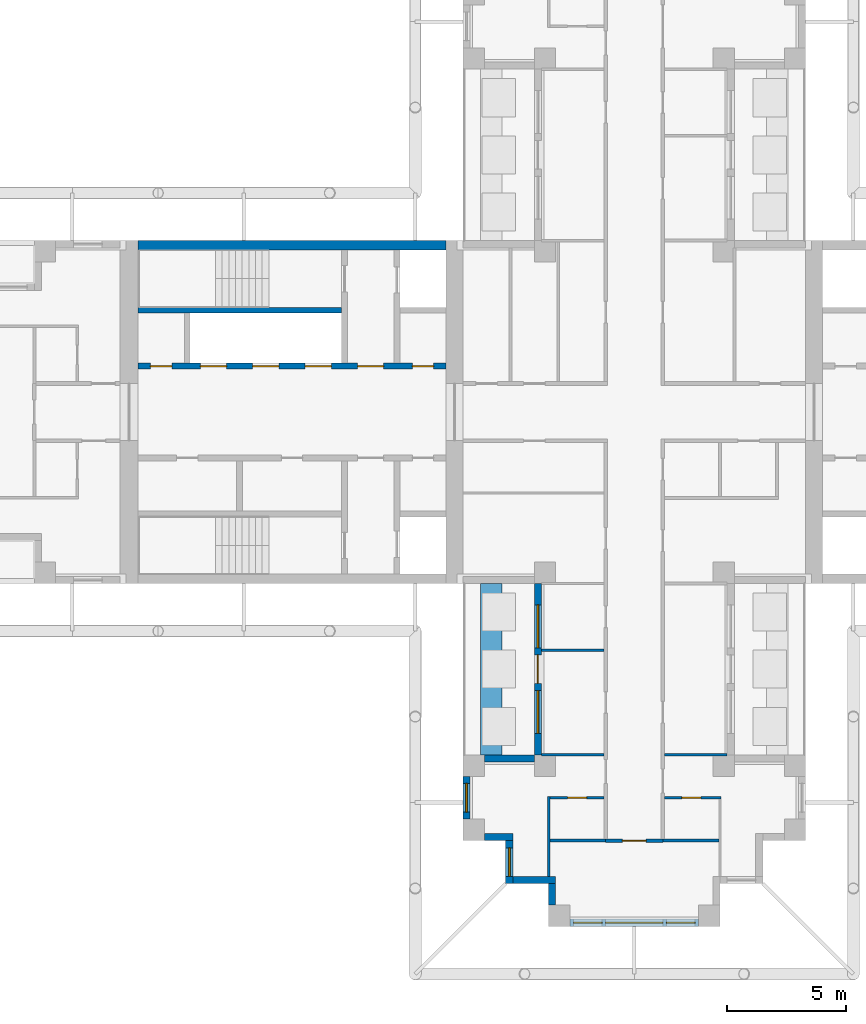
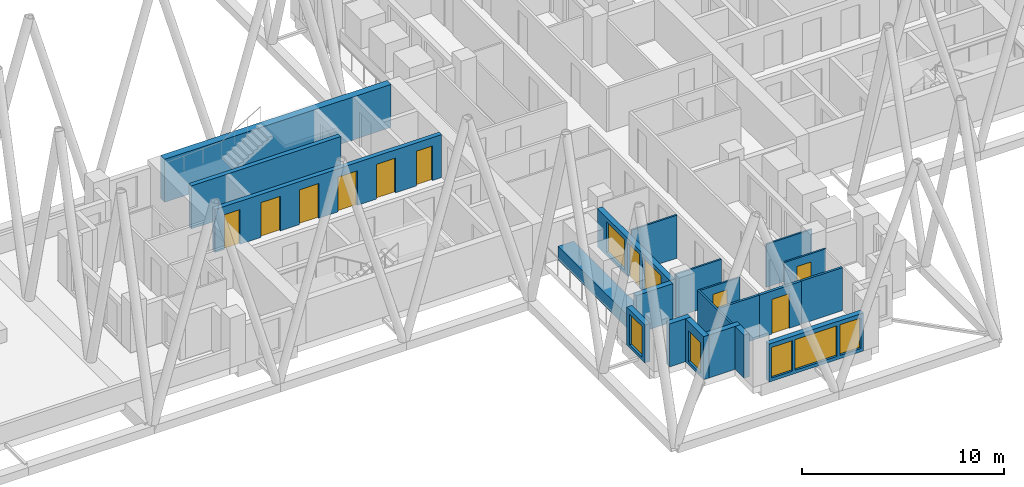
# One storey, part 4 of 11: 21 walls, 10 doors, 7 windows, 17 openings.
"""IFC4 building model written with IfcOpenShell, lengths in metres."""

import ifcopenshell
import ifcopenshell.guid

model = None  # the IFC model being written
_history = None  # IfcOwnerHistory: only IFC2X3 demands one
_inside = {}  # id of a spatial element -> (the spatial element, [elements in it])
_under = {}  # id of a project, library or spatial element -> (it, [spatial elements below it])
_declared = {}  # id of a project -> (the project, [libraries it declares])
_typed = {}  # id of a type object -> (the type object, [elements of that type])
_made_of = {}  # id of a material, layer set ... -> (it, [elements and type objects made of it])


def new_model(schema):
    """Start an empty IFC model of exactly this schema.

    Asked for "IFC4X3", IfcOpenShell would pick the latest addendum, in which some entities
    have other attributes; the version numbers below select the first issue.
    IFC2X3 requires an IfcOwnerHistory on every rooted entity: one is made here for all.
    """
    global model, _history
    if schema == "IFC4X3":
        model = ifcopenshell.file(schema_version=(4, 3, 0, 0))
    else:
        model = ifcopenshell.file(schema=schema)
    _inside.clear()
    _under.clear()
    _declared.clear()
    _typed.clear()
    _made_of.clear()
    _history = None
    if model.schema == "IFC2X3":
        org = make("IfcOrganization", Name="unknown")
        user = make(
            "IfcPersonAndOrganization",
            ThePerson=make("IfcPerson", FamilyName="unknown"),
            TheOrganization=org,
        )
        app = make(
            "IfcApplication",
            ApplicationDeveloper=org,
            Version="unknown",
            ApplicationFullName="unknown",
            ApplicationIdentifier="unknown",
        )
        _history = make(
            "IfcOwnerHistory",
            OwningUser=user,
            OwningApplication=app,
            ChangeAction="ADDED",
            CreationDate=0,
        )
    return model


def make(cls, **values):
    """One entity of the class cls with the attributes given. An attribute that is None is left unset."""
    return model.create_entity(
        cls, **{name: value for name, value in values.items() if value is not None}
    )


def rooted(cls, **values):
    """An entity with a GlobalId (a new one), such as an element, a storey or a relation."""
    return make(cls, GlobalId=ifcopenshell.guid.new(), OwnerHistory=_history, **values)


def si_unit(unit_type, name, prefix=None):
    """IfcSIUnit, for example si_unit("LENGTHUNIT", "METRE", prefix="MILLI")."""
    return make("IfcSIUnit", UnitType=unit_type, Prefix=prefix, Name=name)


def assignment(units):
    """IfcUnitAssignment: the units of a project."""
    return None if units is None else make("IfcUnitAssignment", Units=units)


def point(xyz):
    """IfcCartesianPoint."""
    return None if xyz is None else make("IfcCartesianPoint", Coordinates=xyz)


def direction(xyz):
    """IfcDirection."""
    return None if xyz is None else make("IfcDirection", DirectionRatios=xyz)


def frame(location, z_axis=None, x_axis=None):
    """IfcAxis2Placement3D, a coordinate frame: its origin and axes. An axis left out is left unset."""
    return make(
        "IfcAxis2Placement3D",
        Location=point(location),
        Axis=direction(z_axis),
        RefDirection=direction(x_axis),
    )


def frame_2d(location, x_axis=None):
    """IfcAxis2Placement2D, a coordinate frame in the plane: its origin and x axis."""
    return make(
        "IfcAxis2Placement2D", Location=point(location), RefDirection=direction(x_axis)
    )


def origin():
    """The frame at (0, 0, 0) with its axes left unset."""
    return frame((0.0, 0.0, 0.0))


def place(relative_to, where):
    """IfcLocalPlacement: puts the frame where relative to a parent placement (None: the world)."""
    return make(
        "IfcLocalPlacement", PlacementRelTo=relative_to, RelativePlacement=where
    )


def context(
    kind, dimensions, precision=None, world=None, true_north=None, identifier=None
):
    """IfcGeometricRepresentationContext, for example the 3D "Model" context."""
    return make(
        "IfcGeometricRepresentationContext",
        ContextIdentifier=identifier,
        ContextType=kind,
        CoordinateSpaceDimension=dimensions,
        Precision=precision,
        WorldCoordinateSystem=world,
        TrueNorth=true_north,
    )


def subcontext(parent, identifier, kind, view, scale=None):
    """IfcGeometricRepresentationSubContext, for example "Body" below "Model"."""
    return make(
        "IfcGeometricRepresentationSubContext",
        ContextIdentifier=identifier,
        ContextType=kind,
        ParentContext=parent,
        TargetScale=scale,
        TargetView=view,
    )


def project(units=None, contexts=None):
    """IfcProject with its units and contexts."""
    return rooted(
        "IfcProject",
        Name="project",
        RepresentationContexts=contexts,
        UnitsInContext=assignment(units),
    )


def spatial(cls, under=None, at=None, **own):
    """A site, building, storey or space (cls), placed at a placement, below another one or the project."""
    s = rooted(cls, ObjectPlacement=at, **own)
    if under is not None:
        _under.setdefault(under.id(), (under, []))[1].append(s)
    return s


def profile(cls, at=None, kind="AREA", **sizes):
    """A parametric profile (cls). Its sizes go by their IFC names, for example OverallWidth=200.0."""
    return make(cls, ProfileType=kind, Position=at, **sizes)


def rectangle(**sizes):
    """IfcRectangleProfileDef."""
    return profile("IfcRectangleProfileDef", **sizes)


def extrude(swept, where, along, depth):
    """IfcExtrudedAreaSolid: the profile swept, set in the frame where, extruded along a direction by depth."""
    return make(
        "IfcExtrudedAreaSolid",
        SweptArea=swept,
        Position=where,
        ExtrudedDirection=direction(along),
        Depth=depth,
    )


def shape(context_of_items, identifier, shape_type, items):
    """IfcShapeRepresentation: the items that make up one representation, for example the "Body"."""
    return make(
        "IfcShapeRepresentation",
        ContextOfItems=context_of_items,
        RepresentationIdentifier=identifier,
        RepresentationType=shape_type,
        Items=items,
    )


def material(Name=None, Category=None):
    """IfcMaterial."""
    return make("IfcMaterial", Name=Name, Category=Category)


def layer(
    of_material, thickness, ventilated=None, Name=None, Category=None, Priority=None
):
    """IfcMaterialLayer: one layer of a wall or slab, of a material (None: an air gap)."""
    return make(
        "IfcMaterialLayer",
        Material=of_material,
        LayerThickness=thickness,
        IsVentilated=ventilated,
        Name=Name,
        Category=Category,
        Priority=Priority,
    )


def layer_set(layers, Name=None):
    """IfcMaterialLayerSet."""
    return make("IfcMaterialLayerSet", MaterialLayers=layers, LayerSetName=Name)


def made_of(thing, what):
    """Note that an element or type object is made of a material, layer set ...; save() writes the relation."""
    if what is not None:
        _made_of.setdefault(what.id(), (what, []))[1].append(thing)
    return thing


def type_object(cls, material=None, **own):
    """A type object (cls), such as IfcWallType, which elements share."""
    return made_of(rooted(cls, **own), material)


def element(
    cls,
    number,
    at=None,
    inside=None,
    cuts=None,
    type_object=None,
    material=None,
    context=None,
    identifier="Body",
    shape_type=None,
    held_by="IfcProductDefinitionShape",
    body=None,
    shapes=None,
    **own,
):
    """One element of the class cls, such as IfcWall. Its Tag is "e" and its number.

    at: its placement. inside: the storey or other place that contains it. cuts: it is an
    opening in that element (IfcRelVoidsElement). A single representation is given by context,
    identifier, shape_type and body (its items); several are given by shapes. held_by: the class
    of the entity that holds the representations. save() writes the other relations.
    """
    e = rooted(cls, Tag="e%d" % number, ObjectPlacement=at, **own)
    if body is not None:
        shapes = [shape(context, identifier, shape_type, body)]
    if shapes is not None:
        e.Representation = make(held_by, Representations=shapes)
    if inside is not None:
        _inside.setdefault(inside.id(), (inside, []))[1].append(e)
    if cuts is not None:
        rooted(
            "IfcRelVoidsElement", RelatingBuildingElement=cuts, RelatedOpeningElement=e
        )
    if type_object is not None:
        _typed.setdefault(type_object.id(), (type_object, []))[1].append(e)
    return made_of(e, material)


def fill(opening, filler):
    """IfcRelFillsElement: the door or window that sits in an opening."""
    return rooted(
        "IfcRelFillsElement",
        RelatingOpeningElement=opening,
        RelatedBuildingElement=filler,
    )


def aggregate(whole, parts):
    """IfcRelAggregates: a whole, such as a stair, and the parts it consists of."""
    return rooted("IfcRelAggregates", RelatingObject=whole, RelatedObjects=parts)


def save(model, path):
    """Write the relations noted so far, then the file.

    IfcRelAggregates (storeys below a building ...), IfcRelContainedInSpatialStructure (elements
    in a storey), IfcRelDefinesByType, IfcRelAssociatesMaterial and IfcRelDeclares: one each for
    every whole, place, type object, material and project.
    """
    for whole, parts in _under.values():
        aggregate(whole, parts)
    for where, things in _inside.values():
        rooted(
            "IfcRelContainedInSpatialStructure",
            RelatedElements=things,
            RelatingStructure=where,
        )
    for kind, things in _typed.values():
        rooted("IfcRelDefinesByType", RelatedObjects=things, RelatingType=kind)
    for what, things in _made_of.values():
        rooted("IfcRelAssociatesMaterial", RelatedObjects=things, RelatingMaterial=what)
    for by, libraries in _declared.values():
        rooted("IfcRelDeclares", RelatingContext=by, RelatedDefinitions=libraries)
    model.write(path)


model = new_model("IFC4")

# Units and contexts
model_context = context("Model", 3, precision=1e-05, world=origin(), true_north=direction((0.0, 1.0)))
body_context = subcontext(model_context, "Body", "Model", "MODEL_VIEW")
ifc_project = project(units=[si_unit("LENGTHUNIT", "METRE"), si_unit("AREAUNIT", "SQUARE_METRE"), si_unit("VOLUMEUNIT", "CUBIC_METRE"), si_unit("PLANEANGLEUNIT", "RADIAN"), si_unit("MASSUNIT", "GRAM", prefix="KILO")], contexts=[model_context])

# Site, building, storey
site_placement = place(None, origin())
site = spatial("IfcSite", under=ifc_project, at=site_placement, CompositionType="ELEMENT")
building_placement = place(site_placement, origin())
building = spatial("IfcBuilding", under=site, at=building_placement, Name="Fustian Cross Tower", CompositionType="ELEMENT")
storey_placement = place(building_placement, frame((0.0, 0.0, 198.89990234375)))
storey = spatial("IfcBuildingStorey", under=building, at=storey_placement, Name="L62", CompositionType="ELEMENT", Elevation=198.89990234375)

# Wall, opening, door
ifc_material_1 = material(Name="Plasterboard on steel stud", Category="steel")
ifc_layer_1 = layer(ifc_material_1, 0.14990234375)
ifc_layer_set_1 = layer_set([ifc_layer_1], Name="Plasterboard on steel stud")
wall_type_1 = type_object("IfcWallType", Name="COMPARTMENT WALL 150 EI 60", PredefinedType="PARTITIONING", material=ifc_layer_set_1)
wall_1_placement = place(storey_placement, frame((-1.199951171875, -18.0, 0.0), z_axis=(0.0, 0.0, 1.0), x_axis=(1.0, 0.0, 0.0)))
wall_1 = element("IfcWall", 1, at=wall_1_placement, inside=storey, type_object=wall_type_1, Name="Partition 27", PredefinedType="PARTITIONING", context=body_context, shape_type="SweptSolid", body=[
    extrude(rectangle(XDim=2.39990234375, YDim=0.14990234375, at=frame_2d((1.199951171875, 0.0))), origin(), (0.0, 0.0, 1.0), 2.60009765625),
])
opening_1_placement = place(wall_1_placement, frame((0.699951171875, 0.0, 0.0)))
opening_1 = element("IfcOpeningElement", 2, at=opening_1_placement, cuts=wall_1, Name="Opening D29026", PredefinedType="OPENING", context=body_context, shape_type="SweptSolid", body=[
    extrude(rectangle(XDim=1.0, YDim=2.10009765625, at=frame_2d((0.5, 1.050048828125))), frame((0.0, 0.0849609375, 0.0), z_axis=(0.0, -1.0, 0.0), x_axis=(1.0, 0.0, 0.0)), (0.0, 0.0, 1.0), 0.169921875),
])
ifc_material_2 = material(Name="Timber fire door set", Category="wood")
door_type_1 = type_object("IfcDoorType", Name="FIRE SWING DOOR 1000 FD30S", OperationType="SINGLE_SWING_LEFT", PredefinedType="DOOR", material=ifc_material_2)
door_1_placement = place(opening_1_placement, frame((1.0, 0.0, 0.0), z_axis=(0.0, 0.0, 1.0), x_axis=(-1.0, 0.0, 0.0)))
door_1 = element("IfcDoor", 3, at=door_1_placement, inside=storey, type_object=door_type_1, Name="Door D29026", OperationType="SINGLE_SWING_RIGHT", OverallHeight=2.10009765625, OverallWidth=1.0, PredefinedType="DOOR", context=body_context, shape_type="SweptSolid", body=[
    extrude(rectangle(XDim=1.0, YDim=2.10009765625, at=frame_2d((0.5, 1.050048828125))), frame((0.0, 0.02490234375, 0.0), z_axis=(0.0, -1.0, 0.0), x_axis=(1.0, 0.0, 0.0)), (0.0, 0.0, 1.0), 0.050048828125),
])
fill(opening_1, door_1)

# Wall
ifc_material_3 = material(Name="Concrete C50/60", Category="concrete")
ifc_layer_2 = layer(ifc_material_3, 0.39990234375)
ifc_layer_set_2 = layer_set([ifc_layer_2], Name="Concrete C50/60")
wall_type_2 = type_object("IfcWallType", Name="CORE FACADE WALL 400 C50/60", PredefinedType="SHEAR", material=ifc_layer_set_2)
wall_2_placement = place(storey_placement, frame((-7.89990234375, 7.0, 0.0), z_axis=(0.0, 0.0, 1.0), x_axis=(-1.0, 0.0, 0.0)))
element("IfcWall", 4, at=wall_2_placement, inside=storey, type_object=wall_type_2, Name="Core facade wall", PredefinedType="SHEAR", context=body_context, shape_type="SweptSolid", body=[
    extrude(rectangle(XDim=12.9501953125, YDim=0.39990234375, at=frame_2d((6.47509765625, 0.0))), origin(), (0.0, 0.0, 1.0), 2.60009765625),
])

# Wall, openings, doors
ifc_material_4 = material(Name="Concrete C50/60", Category="concrete")
ifc_layer_3 = layer(ifc_material_4, 0.25)
ifc_layer_set_3 = layer_set([ifc_layer_3], Name="Concrete C50/60")
wall_type_3 = type_object("IfcWallType", Name="CORE LOBBY WALL 250 C50/60", PredefinedType="SHEAR", material=ifc_layer_set_3)
wall_3_placement = place(storey_placement, frame((-7.89990234375, 1.925048828125, 0.0), z_axis=(0.0, 0.0, 1.0), x_axis=(-1.0, 0.0, 0.0)))
wall_3 = element("IfcWall", 5, at=wall_3_placement, inside=storey, type_object=wall_type_3, Name="Core lobby wall", PredefinedType="SHEAR", context=body_context, shape_type="SweptSolid", body=[
    extrude(rectangle(XDim=12.9501953125, YDim=0.25, at=frame_2d((6.47509765625, 0.0))), origin(), (0.0, 0.0, 1.0), 2.60009765625),
])
opening_2_placement = place(wall_3_placement, frame((4.824951171875, 0.0, 0.0)))
opening_2 = element("IfcOpeningElement", 6, at=opening_2_placement, cuts=wall_3, Name="Opening LD", PredefinedType="OPENING", context=body_context, shape_type="SweptSolid", body=[
    extrude(rectangle(XDim=1.10009765625, YDim=2.10009765625, at=frame_2d((0.550048828125, 1.050048828125))), frame((0.0, 0.135009765625, 0.0), z_axis=(0.0, -1.0, 0.0), x_axis=(1.0, 0.0, 0.0)), (0.0, 0.0, 1.0), 0.27001953125),
])
opening_3_placement = place(wall_3_placement, frame((7.02490234375, 0.0, 0.0)))
opening_3 = element("IfcOpeningElement", 7, at=opening_3_placement, cuts=wall_3, Name="Opening LD", PredefinedType="OPENING", context=body_context, shape_type="SweptSolid", body=[
    extrude(rectangle(XDim=1.10009765625, YDim=2.10009765625, at=frame_2d((0.550048828125, 1.050048828125))), frame((0.0, 0.135009765625, 0.0), z_axis=(0.0, -1.0, 0.0), x_axis=(1.0, 0.0, 0.0)), (0.0, 0.0, 1.0), 0.27001953125),
])
opening_4_placement = place(wall_3_placement, frame((9.22509765625, 0.0, 0.0)))
opening_4 = element("IfcOpeningElement", 8, at=opening_4_placement, cuts=wall_3, Name="Opening LD", PredefinedType="OPENING", context=body_context, shape_type="SweptSolid", body=[
    extrude(rectangle(XDim=1.10009765625, YDim=2.10009765625, at=frame_2d((0.550048828125, 1.050048828125))), frame((0.0, 0.135009765625, 0.0), z_axis=(0.0, -1.0, 0.0), x_axis=(1.0, 0.0, 0.0)), (0.0, 0.0, 1.0), 0.27001953125),
])
opening_5_placement = place(wall_3_placement, frame((0.52490234375, 0.0, 0.0)))
opening_5 = element("IfcOpeningElement", 9, at=opening_5_placement, cuts=wall_3, Name="Opening CD-27-24", PredefinedType="OPENING", context=body_context, shape_type="SweptSolid", body=[
    extrude(rectangle(XDim=0.89990234375, YDim=2.10009765625, at=frame_2d((0.449951171875, 1.050048828125))), frame((0.0, 0.135009765625, 0.0), z_axis=(0.0, -1.0, 0.0), x_axis=(1.0, 0.0, 0.0)), (0.0, 0.0, 1.0), 0.27001953125),
])
opening_6_placement = place(wall_3_placement, frame((2.625, 0.0, 0.0)))
opening_6 = element("IfcOpeningElement", 10, at=opening_6_placement, cuts=wall_3, Name="Opening CD-27-26", PredefinedType="OPENING", context=body_context, shape_type="SweptSolid", body=[
    extrude(rectangle(XDim=1.10009765625, YDim=2.10009765625, at=frame_2d((0.550048828125, 1.050048828125))), frame((0.0, 0.135009765625, 0.0), z_axis=(0.0, -1.0, 0.0), x_axis=(1.0, 0.0, 0.0)), (0.0, 0.0, 1.0), 0.27001953125),
])
opening_7_placement = place(wall_3_placement, frame((11.52490234375, 0.0, 0.0)))
opening_7 = element("IfcOpeningElement", 11, at=opening_7_placement, cuts=wall_3, Name="Opening CD-27-30", PredefinedType="OPENING", context=body_context, shape_type="SweptSolid", body=[
    extrude(rectangle(XDim=0.89990234375, YDim=2.10009765625, at=frame_2d((0.449951171875, 1.050048828125))), frame((0.0, 0.135009765625, 0.0), z_axis=(0.0, -1.0, 0.0), x_axis=(1.0, 0.0, 0.0)), (0.0, 0.0, 1.0), 0.27001953125),
])
ifc_material_5 = material(Name="Steel", Category="steel")
door_type_2 = type_object("IfcDoorType", Name="FIRE DOOR FD30S 900X2100", OperationType="SINGLE_SWING_LEFT", PredefinedType="DOOR", material=ifc_material_5)
door_2_placement = place(opening_7_placement, frame((0.89990234375, 0.0, 0.0), z_axis=(0.0, 0.0, 1.0), x_axis=(-1.0, 0.0, 0.0)))
door_2 = element("IfcDoor", 12, at=door_2_placement, inside=storey, type_object=door_type_2, Name="Core door CD-27-30", OperationType="SINGLE_SWING_RIGHT", OverallHeight=2.10009765625, OverallWidth=0.89990234375, PredefinedType="DOOR", context=body_context, shape_type="SweptSolid", body=[
    extrude(rectangle(XDim=0.89990234375, YDim=2.10009765625, at=frame_2d((0.449951171875, 1.050048828125))), frame((0.0, 0.02490234375, 0.0), z_axis=(0.0, -1.0, 0.0), x_axis=(1.0, 0.0, 0.0)), (0.0, 0.0, 1.0), 0.050048828125),
])
fill(opening_7, door_2)
ifc_material_6 = material(Name="Steel", Category="steel")
door_type_3 = type_object("IfcDoorType", Name="FIRE DOOR FD60S 1100X2100", OperationType="SINGLE_SWING_LEFT", PredefinedType="DOOR", material=ifc_material_6)
door_3_placement = place(opening_6_placement, frame((1.10009765625, 0.0, 0.0), z_axis=(0.0, 0.0, 1.0), x_axis=(-1.0, 0.0, 0.0)))
door_3 = element("IfcDoor", 13, at=door_3_placement, inside=storey, type_object=door_type_3, Name="Core door CD-27-26", OperationType="SINGLE_SWING_RIGHT", OverallHeight=2.10009765625, OverallWidth=1.10009765625, PredefinedType="DOOR", context=body_context, shape_type="SweptSolid", body=[
    extrude(rectangle(XDim=1.10009765625, YDim=2.10009765625, at=frame_2d((0.550048828125, 1.050048828125))), frame((0.0, 0.02490234375, 0.0), z_axis=(0.0, -1.0, 0.0), x_axis=(1.0, 0.0, 0.0)), (0.0, 0.0, 1.0), 0.050048828125),
])
fill(opening_6, door_3)
ifc_material_7 = material(Name="Steel", Category="steel")
door_type_4 = type_object("IfcDoorType", Name="FIRE DOOR FD60S 900X2100", OperationType="SINGLE_SWING_LEFT", PredefinedType="DOOR", material=ifc_material_7)
door_4_placement = place(opening_5_placement, frame((0.89990234375, 0.0, 0.0), z_axis=(0.0, 0.0, 1.0), x_axis=(-1.0, 0.0, 0.0)))
door_4 = element("IfcDoor", 14, at=door_4_placement, inside=storey, type_object=door_type_4, Name="Core door CD-27-24", OperationType="SINGLE_SWING_RIGHT", OverallHeight=2.10009765625, OverallWidth=0.89990234375, PredefinedType="DOOR", context=body_context, shape_type="SweptSolid", body=[
    extrude(rectangle(XDim=0.89990234375, YDim=2.10009765625, at=frame_2d((0.449951171875, 1.050048828125))), frame((0.0, 0.02490234375, 0.0), z_axis=(0.0, -1.0, 0.0), x_axis=(1.0, 0.0, 0.0)), (0.0, 0.0, 1.0), 0.050048828125),
])
fill(opening_5, door_4)
ifc_material_8 = material(Name="Stainless steel", Category="steel")
door_type_5 = type_object("IfcDoorType", Name="LIFT LANDING DOOR 1100X2100", OperationType="SLIDING_TO_LEFT", PredefinedType="DOOR", material=ifc_material_8)
door_5_placement = place(opening_2_placement, origin())
door_5 = element("IfcDoor", 15, at=door_5_placement, inside=storey, type_object=door_type_5, Name="Landing door HR1W", OperationType="SLIDING_TO_LEFT", OverallHeight=2.10009765625, OverallWidth=1.10009765625, PredefinedType="DOOR", context=body_context, shape_type="SweptSolid", body=[
    extrude(rectangle(XDim=1.10009765625, YDim=2.10009765625, at=frame_2d((0.550048828125, 1.050048828125))), frame((0.0, 0.02490234375, 0.0), z_axis=(0.0, -1.0, 0.0), x_axis=(1.0, 0.0, 0.0)), (0.0, 0.0, 1.0), 0.050048828125),
])
fill(opening_2, door_5)
door_6_placement = place(opening_3_placement, origin())
door_6 = element("IfcDoor", 16, at=door_6_placement, inside=storey, type_object=door_type_5, Name="Landing door HR2W", OperationType="SLIDING_TO_LEFT", OverallHeight=2.10009765625, OverallWidth=1.10009765625, PredefinedType="DOOR", context=body_context, shape_type="SweptSolid", body=[
    extrude(rectangle(XDim=1.10009765625, YDim=2.10009765625, at=frame_2d((0.550048828125, 1.050048828125))), frame((0.0, 0.02490234375, 0.0), z_axis=(0.0, -1.0, 0.0), x_axis=(1.0, 0.0, 0.0)), (0.0, 0.0, 1.0), 0.050048828125),
])
fill(opening_3, door_6)
door_7_placement = place(opening_4_placement, origin())
door_7 = element("IfcDoor", 17, at=door_7_placement, inside=storey, type_object=door_type_5, Name="Landing door HR3W", OperationType="SLIDING_TO_LEFT", OverallHeight=2.10009765625, OverallWidth=1.10009765625, PredefinedType="DOOR", context=body_context, shape_type="SweptSolid", body=[
    extrude(rectangle(XDim=1.10009765625, YDim=2.10009765625, at=frame_2d((0.550048828125, 1.050048828125))), frame((0.0, 0.02490234375, 0.0), z_axis=(0.0, -1.0, 0.0), x_axis=(1.0, 0.0, 0.0)), (0.0, 0.0, 1.0), 0.050048828125),
])
fill(opening_4, door_7)

# Walls
ifc_material_9 = material(Name="Concrete C50/60", Category="concrete")
ifc_layer_4 = layer(ifc_material_9, 0.25)
ifc_layer_set_4 = layer_set([ifc_layer_4], Name="Concrete C50/60")
wall_type_4 = type_object("IfcWallType", Name="CORE SHAFT WALL 250 C50/60", PredefinedType="SHEAR", material=ifc_layer_set_4)
wall_4_placement = place(storey_placement, frame((-12.300048828125, 4.27490234375, 0.0), z_axis=(0.0, 0.0, 1.0), x_axis=(-1.0, 0.0, 0.0)))
element("IfcWall", 18, at=wall_4_placement, inside=storey, type_object=wall_type_4, Name="Core shaft wall", PredefinedType="SHEAR", context=body_context, shape_type="SweptSolid", body=[
    extrude(rectangle(XDim=8.550048828125, YDim=0.25, at=frame_2d((4.27490234375, 0.0))), origin(), (0.0, 0.0, 1.0), 2.60009765625),
])
ifc_material_10 = material(Name="Plasterboard on steel stud", Category="steel")
ifc_layer_5 = layer(ifc_material_10, 0.10009765625)
ifc_layer_set_5 = layer_set([ifc_layer_5], Name="Plasterboard on steel stud")
wall_type_5 = type_object("IfcWallType", Name="PARTITION 100 STUD", PredefinedType="PARTITIONING", material=ifc_layer_set_5)
for number, where, z_axis, x_axis, name in (
    (19, (-3.89990234375, -14.39990234375, 0.0), (0.0, 0.0, 1.0), (1.0, 0.0, 0.0), "Partition 14"),
    (20, (-3.89990234375, -10.0, 0.0), (0.0, 0.0, 1.0), (1.0, 0.0, 0.0), "Partition 15"),
):
    element("IfcWall", number, at=place(storey_placement, frame(where, z_axis=z_axis, x_axis=x_axis)), inside=storey, type_object=wall_type_5, Name=name, PredefinedType="PARTITIONING", context=body_context, shape_type="SweptSolid", body=[
        extrude(rectangle(XDim=2.625, YDim=0.10009765625, at=frame_2d((1.3125, 0.0))), origin(), (0.0, 0.0, 1.0), 2.60009765625),
    ])
wall_5_placement = place(storey_placement, frame((-3.60009765625, -19.5, 0.0), z_axis=(0.0, 0.0, 1.0), x_axis=(0.0, 1.0, 0.0)))
element("IfcWall", 21, at=wall_5_placement, inside=storey, type_object=wall_type_5, Name="Partition 19", PredefinedType="PARTITIONING", context=body_context, shape_type="SweptSolid", body=[
    extrude(rectangle(XDim=3.35009765625, YDim=0.10009765625, at=frame_2d((1.675048828125, 0.0))), origin(), (0.0, 0.0, 1.0), 2.60009765625),
])

# Wall, opening, door
wall_6_placement = place(storey_placement, frame((-3.550048828125, -16.199951171875, 0.0), z_axis=(0.0, 0.0, 1.0), x_axis=(1.0, 0.0, 0.0)))
wall_6 = element("IfcWall", 22, at=wall_6_placement, inside=storey, type_object=wall_type_5, Name="Partition 21", PredefinedType="PARTITIONING", context=body_context, shape_type="SweptSolid", body=[
    extrude(rectangle(XDim=2.275146484375, YDim=0.10009765625, at=frame_2d((1.1376953125, 0.0))), origin(), (0.0, 0.0, 1.0), 2.60009765625),
])
opening_8_placement = place(wall_6_placement, frame((0.75, 0.0, 0.0)))
opening_8 = element("IfcOpeningElement", 23, at=opening_8_placement, cuts=wall_6, Name="Opening D29032", PredefinedType="OPENING", context=body_context, shape_type="SweptSolid", body=[
    extrude(rectangle(XDim=0.800048828125, YDim=2.10009765625, at=frame_2d((0.39990234375, 1.050048828125))), frame((0.0, 0.06005859375, 0.0), z_axis=(0.0, -1.0, 0.0), x_axis=(1.0, 0.0, 0.0)), (0.0, 0.0, 1.0), 0.1201171875),
])
ifc_material_11 = material(Name="Painted timber", Category="wood")
door_type_6 = type_object("IfcDoorType", Name="SWING DOOR 800", OperationType="SINGLE_SWING_LEFT", PredefinedType="DOOR", material=ifc_material_11)
door_8_placement = place(opening_8_placement, frame((0.800048828125, 0.0, 0.0), z_axis=(0.0, 0.0, 1.0), x_axis=(-1.0, 0.0, 0.0)))
door_8 = element("IfcDoor", 24, at=door_8_placement, inside=storey, type_object=door_type_6, Name="Door D29032", OperationType="SINGLE_SWING_RIGHT", OverallHeight=2.10009765625, OverallWidth=0.800048828125, PredefinedType="DOOR", context=body_context, shape_type="SweptSolid", body=[
    extrude(rectangle(XDim=0.800048828125, YDim=2.10009765625, at=frame_2d((0.39990234375, 1.050048828125))), frame((0.0, 0.02490234375, 0.0), z_axis=(0.0, -1.0, 0.0), x_axis=(1.0, 0.0, 0.0)), (0.0, 0.0, 1.0), 0.050048828125),
])
fill(opening_8, door_8)

wall_7_placement = place(storey_placement, frame((1.27490234375, -16.199951171875, 0.0), z_axis=(0.0, 0.0, 1.0), x_axis=(1.0, 0.0, 0.0)))
wall_7 = element("IfcWall", 25, at=wall_7_placement, inside=storey, type_object=wall_type_5, Name="Partition 32", PredefinedType="PARTITIONING", context=body_context, shape_type="SweptSolid", body=[
    extrude(rectangle(XDim=2.375, YDim=0.10009765625, at=frame_2d((1.1875, 0.0))), origin(), (0.0, 0.0, 1.0), 2.60009765625),
])
opening_9_placement = place(wall_7_placement, frame((0.72509765625, 0.0, 0.0)))
opening_9 = element("IfcOpeningElement", 26, at=opening_9_placement, cuts=wall_7, Name="Opening D29028", PredefinedType="OPENING", context=body_context, shape_type="SweptSolid", body=[
    extrude(rectangle(XDim=0.800048828125, YDim=2.10009765625, at=frame_2d((0.39990234375, 1.050048828125))), frame((0.0, 0.06005859375, 0.0), z_axis=(0.0, -1.0, 0.0), x_axis=(1.0, 0.0, 0.0)), (0.0, 0.0, 1.0), 0.1201171875),
])
door_9_placement = place(opening_9_placement, frame((0.800048828125, 0.0, 0.0), z_axis=(0.0, 0.0, 1.0), x_axis=(-1.0, 0.0, 0.0)))
door_9 = element("IfcDoor", 27, at=door_9_placement, inside=storey, type_object=door_type_6, Name="Door D29028", OperationType="SINGLE_SWING_RIGHT", OverallHeight=2.10009765625, OverallWidth=0.800048828125, PredefinedType="DOOR", context=body_context, shape_type="SweptSolid", body=[
    extrude(rectangle(XDim=0.800048828125, YDim=2.10009765625, at=frame_2d((0.39990234375, 1.050048828125))), frame((0.0, 0.02490234375, 0.0), z_axis=(0.0, -1.0, 0.0), x_axis=(1.0, 0.0, 0.0)), (0.0, 0.0, 1.0), 0.050048828125),
])
fill(opening_9, door_9)

# Walls
wall_8_placement = place(storey_placement, frame((1.27490234375, -14.39990234375, 0.0), z_axis=(0.0, 0.0, 1.0), x_axis=(1.0, 0.0, 0.0)))
element("IfcWall", 28, at=wall_8_placement, inside=storey, type_object=wall_type_5, Name="Partition 33", PredefinedType="PARTITIONING", context=body_context, shape_type="SweptSolid", body=[
    extrude(rectangle(XDim=2.625, YDim=0.10009765625, at=frame_2d((1.3125, 0.0))), origin(), (0.0, 0.0, 1.0), 2.60009765625),
])
ifc_material_12 = material(Name="Concrete C40/50", Category="concrete")
ifc_layer_6 = layer(ifc_material_12, 0.89990234375)
ifc_layer_set_6 = layer_set([ifc_layer_6], Name="Concrete C40/50")
wall_type_6 = type_object("IfcWallType", Name="PK1 PLANTER 900", PredefinedType="PARAPET", material=ifc_layer_set_6)
wall_9_placement = place(storey_placement, frame((-6.0, -14.39990234375, 0.0), z_axis=(0.0, 0.0, 1.0), x_axis=(0.0, 1.0, 0.0)))
element("IfcWall", 29, at=wall_9_placement, inside=storey, type_object=wall_type_6, Name="PLANTER", PredefinedType="PARAPET", context=body_context, shape_type="SweptSolid", body=[
    extrude(rectangle(XDim=7.199951171875, YDim=0.89990234375, at=frame_2d((3.60009765625, 0.0))), origin(), (0.0, 0.0, 1.0), 0.800048828125),
])
ifc_material_13 = material(Name="Plasterboard on steel stud", Category="steel")
ifc_layer_7 = layer(ifc_material_13, 0.125)
ifc_layer_set_7 = layer_set([ifc_layer_7], Name="Plasterboard on steel stud")
wall_type_7 = type_object("IfcWallType", Name="WET WALL 125 STUD", PredefinedType="PARTITIONING", material=ifc_layer_set_7)
for number, where, z_axis, x_axis, name in (
    (30, (-3.550048828125, -18.0, 0.0), (0.0, 0.0, 1.0), (1.0, 0.0, 0.0), "Partition 20"),
    (31, (1.199951171875, -18.0, 0.0), (0.0, 0.0, 1.0), (1.0, 0.0, 0.0), "Partition 31"),
):
    element("IfcWall", number, at=place(storey_placement, frame(where, z_axis=z_axis, x_axis=x_axis)), inside=storey, type_object=wall_type_7, Name=name, PredefinedType="PARTITIONING", context=body_context, shape_type="SweptSolid", body=[
        extrude(rectangle(XDim=2.35009765625, YDim=0.125, at=frame_2d((1.175048828125, 0.0))), origin(), (0.0, 0.0, 1.0), 2.60009765625),
    ])

# Wall, openings, door, windows
ifc_material_14 = material(Name="Dark aluminium cladding on insulated backing wall", Category="aluminium")
ifc_layer_8 = layer(ifc_material_14, 0.300048828125)
ifc_layer_set_8 = layer_set([ifc_layer_8], Name="Dark aluminium cladding on insulated backing wall")
wall_type_8 = type_object("IfcWallType", Name="XW1 EXTERNAL WALL 300", PredefinedType="SOLIDWALL", material=ifc_layer_set_8)
wall_10_placement = place(storey_placement, frame((-4.050048828125, -7.199951171875, 0.0), z_axis=(0.0, 0.0, 1.0), x_axis=(0.0, -1.0, 0.0)))
wall_10 = element("IfcWall", 32, at=wall_10_placement, inside=storey, type_object=wall_type_8, Name="External wall", PredefinedType="SOLIDWALL", context=body_context, shape_type="SweptSolid", body=[
    extrude(rectangle(XDim=7.199951171875, YDim=0.300048828125, at=frame_2d((3.60009765625, 0.0))), origin(), (0.0, 0.0, 1.0), 2.300048828125),
])
opening_10_placement = place(wall_10_placement, frame((3.0, 0.0, 0.0)))
opening_10 = element("IfcOpeningElement", 33, at=opening_10_placement, cuts=wall_10, Name="Opening XD4", PredefinedType="OPENING", context=body_context, shape_type="SweptSolid", body=[
    extrude(rectangle(XDim=1.199951171875, YDim=2.050048828125, at=frame_2d((0.60009765625, 1.02490234375))), frame((0.0, 0.159912109375, 0.0), z_axis=(0.0, -1.0, 0.0), x_axis=(1.0, 0.0, 0.0)), (0.0, 0.0, 1.0), 0.320068359375),
])
opening_11_placement = place(wall_10_placement, frame((0.89990234375, 0.0, 0.199951171875)))
opening_11 = element("IfcOpeningElement", 34, at=opening_11_placement, cuts=wall_10, Name="Opening WN2", PredefinedType="OPENING", context=body_context, shape_type="SweptSolid", body=[
    extrude(rectangle(XDim=1.800048828125, YDim=1.85009765625, at=frame_2d((0.89990234375, 0.925048828125))), frame((0.0, 0.159912109375, 0.0), z_axis=(0.0, -1.0, 0.0), x_axis=(1.0, 0.0, 0.0)), (0.0, 0.0, 1.0), 0.320068359375),
])
opening_12_placement = place(wall_10_placement, frame((4.5, 0.0, 0.199951171875)))
opening_12 = element("IfcOpeningElement", 35, at=opening_12_placement, cuts=wall_10, Name="Opening WN2", PredefinedType="OPENING", context=body_context, shape_type="SweptSolid", body=[
    extrude(rectangle(XDim=1.800048828125, YDim=1.85009765625, at=frame_2d((0.89990234375, 0.925048828125))), frame((0.0, 0.159912109375, 0.0), z_axis=(0.0, -1.0, 0.0), x_axis=(1.0, 0.0, 0.0)), (0.0, 0.0, 1.0), 0.320068359375),
])
ifc_material_15 = material(Name="Dark anodised aluminium and double glazing", Category="aluminium")
door_type_7 = type_object("IfcDoorType", Name="ED1 BALCONY DOOR 1200X2050", OperationType="SINGLE_SWING_LEFT", PredefinedType="DOOR", material=ifc_material_15)
door_10_placement = place(opening_10_placement, origin())
door_10 = element("IfcDoor", 36, at=door_10_placement, inside=storey, type_object=door_type_7, Name="Balcony door", OperationType="SINGLE_SWING_LEFT", OverallHeight=2.050048828125, OverallWidth=1.199951171875, PredefinedType="DOOR", context=body_context, shape_type="SweptSolid", body=[
    extrude(rectangle(XDim=1.199951171875, YDim=2.050048828125, at=frame_2d((0.60009765625, 1.02490234375))), frame((0.0, 0.02490234375, 0.0), z_axis=(0.0, -1.0, 0.0), x_axis=(1.0, 0.0, 0.0)), (0.0, 0.0, 1.0), 0.050048828125),
])
fill(opening_10, door_10)
ifc_material_16 = material(Name="Dark anodised aluminium and double glazing", Category="aluminium")
window_type_1 = type_object("IfcWindowType", Name="WN2 WINDOW 1800X1850", PartitioningType="SINGLE_PANEL", PredefinedType="WINDOW", material=ifc_material_16)
window_1_placement = place(opening_11_placement, origin())
window_1 = element("IfcWindow", 37, at=window_1_placement, inside=storey, type_object=window_type_1, Name="Window", OverallHeight=1.85009765625, OverallWidth=1.800048828125, PartitioningType="SINGLE_PANEL", PredefinedType="WINDOW", context=body_context, shape_type="SweptSolid", body=[
    extrude(rectangle(XDim=1.800048828125, YDim=1.85009765625, at=frame_2d((0.89990234375, 0.925048828125))), frame((0.0, 0.030029296875, 0.0), z_axis=(0.0, -1.0, 0.0), x_axis=(1.0, 0.0, 0.0)), (0.0, 0.0, 1.0), 0.06005859375),
])
fill(opening_11, window_1)
window_2_placement = place(opening_12_placement, origin())
window_2 = element("IfcWindow", 38, at=window_2_placement, inside=storey, type_object=window_type_1, Name="Window", OverallHeight=1.85009765625, OverallWidth=1.800048828125, PartitioningType="SINGLE_PANEL", PredefinedType="WINDOW", context=body_context, shape_type="SweptSolid", body=[
    extrude(rectangle(XDim=1.800048828125, YDim=1.85009765625, at=frame_2d((0.89990234375, 0.925048828125))), frame((0.0, 0.030029296875, 0.0), z_axis=(0.0, -1.0, 0.0), x_axis=(1.0, 0.0, 0.0)), (0.0, 0.0, 1.0), 0.06005859375),
])
fill(opening_12, window_2)

# Wall
wall_11_placement = place(storey_placement, frame((-4.199951171875, -14.550048828125, 0.0), z_axis=(0.0, 0.0, 1.0), x_axis=(-1.0, 0.0, 0.0)))
element("IfcWall", 39, at=wall_11_placement, inside=storey, type_object=wall_type_8, Name="External wall", PredefinedType="SOLIDWALL", context=body_context, shape_type="SweptSolid", body=[
    extrude(rectangle(XDim=2.10009765625, YDim=0.300048828125, at=frame_2d((1.050048828125, 0.0))), origin(), (0.0, 0.0, 1.0), 2.300048828125),
])

# Wall, opening, window
wall_12_placement = place(storey_placement, frame((-7.050048828125, -15.300048828125, 0.0), z_axis=(0.0, 0.0, 1.0), x_axis=(0.0, -1.0, 0.0)))
wall_12 = element("IfcWall", 40, at=wall_12_placement, inside=storey, type_object=wall_type_8, Name="External wall", PredefinedType="SOLIDWALL", context=body_context, shape_type="SweptSolid", body=[
    extrude(rectangle(XDim=1.800048828125, YDim=0.300048828125, at=frame_2d((0.89990234375, 0.0))), origin(), (0.0, 0.0, 1.0), 2.300048828125),
])
opening_13_placement = place(wall_12_placement, frame((0.300048828125, 0.0, 0.199951171875)))
opening_13 = element("IfcOpeningElement", 41, at=opening_13_placement, cuts=wall_12, Name="Opening WN3", PredefinedType="OPENING", context=body_context, shape_type="SweptSolid", body=[
    extrude(rectangle(XDim=1.199951171875, YDim=1.85009765625, at=frame_2d((0.60009765625, 0.925048828125))), frame((0.0, 0.159912109375, 0.0), z_axis=(0.0, -1.0, 0.0), x_axis=(1.0, 0.0, 0.0)), (0.0, 0.0, 1.0), 0.320068359375),
])
ifc_material_17 = material(Name="Dark anodised aluminium and double glazing", Category="aluminium")
window_type_2 = type_object("IfcWindowType", Name="WN3 WINDOW 1200X1850", PartitioningType="SINGLE_PANEL", PredefinedType="WINDOW", material=ifc_material_17)
window_3_placement = place(opening_13_placement, origin())
window_3 = element("IfcWindow", 42, at=window_3_placement, inside=storey, type_object=window_type_2, Name="Window", OverallHeight=1.85009765625, OverallWidth=1.199951171875, PartitioningType="SINGLE_PANEL", PredefinedType="WINDOW", context=body_context, shape_type="SweptSolid", body=[
    extrude(rectangle(XDim=1.199951171875, YDim=1.85009765625, at=frame_2d((0.60009765625, 0.925048828125))), frame((0.0, 0.030029296875, 0.0), z_axis=(0.0, -1.0, 0.0), x_axis=(1.0, 0.0, 0.0)), (0.0, 0.0, 1.0), 0.06005859375),
])
fill(opening_13, window_3)

# Wall
wall_13_placement = place(storey_placement, frame((-6.300048828125, -17.85009765625, 0.0), z_axis=(0.0, 0.0, 1.0), x_axis=(1.0, 0.0, 0.0)))
element("IfcWall", 43, at=wall_13_placement, inside=storey, type_object=wall_type_8, Name="External wall", PredefinedType="SOLIDWALL", context=body_context, shape_type="SweptSolid", body=[
    extrude(rectangle(XDim=1.199951171875, YDim=0.300048828125, at=frame_2d((0.60009765625, 0.0))), origin(), (0.0, 0.0, 1.0), 2.60009765625),
])

# Wall, opening, window
wall_14_placement = place(storey_placement, frame((-5.25, -18.0, 0.0), z_axis=(0.0, 0.0, 1.0), x_axis=(0.0, -1.0, 0.0)))
wall_14 = element("IfcWall", 44, at=wall_14_placement, inside=storey, type_object=wall_type_8, Name="External wall", PredefinedType="SOLIDWALL", context=body_context, shape_type="SweptSolid", body=[
    extrude(rectangle(XDim=1.800048828125, YDim=0.300048828125, at=frame_2d((0.89990234375, 0.0))), origin(), (0.0, 0.0, 1.0), 2.60009765625),
])
opening_14_placement = place(wall_14_placement, frame((0.300048828125, 0.0, 0.199951171875)))
opening_14 = element("IfcOpeningElement", 45, at=opening_14_placement, cuts=wall_14, Name="Opening WN3", PredefinedType="OPENING", context=body_context, shape_type="SweptSolid", body=[
    extrude(rectangle(XDim=1.199951171875, YDim=1.85009765625, at=frame_2d((0.60009765625, 0.925048828125))), frame((0.0, 0.159912109375, 0.0), z_axis=(0.0, -1.0, 0.0), x_axis=(1.0, 0.0, 0.0)), (0.0, 0.0, 1.0), 0.320068359375),
])
window_4_placement = place(opening_14_placement, origin())
window_4 = element("IfcWindow", 46, at=window_4_placement, inside=storey, type_object=window_type_2, Name="Window", OverallHeight=1.85009765625, OverallWidth=1.199951171875, PartitioningType="SINGLE_PANEL", PredefinedType="WINDOW", context=body_context, shape_type="SweptSolid", body=[
    extrude(rectangle(XDim=1.199951171875, YDim=1.85009765625, at=frame_2d((0.60009765625, 0.925048828125))), frame((0.0, 0.030029296875, 0.0), z_axis=(0.0, -1.0, 0.0), x_axis=(1.0, 0.0, 0.0)), (0.0, 0.0, 1.0), 0.06005859375),
])
fill(opening_14, window_4)

# Walls
wall_15_placement = place(storey_placement, frame((-5.10009765625, -19.64990234375, 0.0), z_axis=(0.0, 0.0, 1.0), x_axis=(1.0, 0.0, 0.0)))
element("IfcWall", 47, at=wall_15_placement, inside=storey, type_object=wall_type_8, Name="External wall", PredefinedType="SOLIDWALL", context=body_context, shape_type="SweptSolid", body=[
    extrude(rectangle(XDim=1.800048828125, YDim=0.300048828125, at=frame_2d((0.89990234375, 0.0))), origin(), (0.0, 0.0, 1.0), 2.60009765625),
])
wall_16_placement = place(storey_placement, frame((-3.449951171875, -19.800048828125, 0.0), z_axis=(0.0, 0.0, 1.0), x_axis=(0.0, -1.0, 0.0)))
element("IfcWall", 48, at=wall_16_placement, inside=storey, type_object=wall_type_8, Name="External wall", PredefinedType="SOLIDWALL", context=body_context, shape_type="SweptSolid", body=[
    extrude(rectangle(XDim=0.89990234375, YDim=0.300048828125, at=frame_2d((0.449951171875, 0.0))), origin(), (0.0, 0.0, 1.0), 2.60009765625),
])

# Wall, openings, windows
wall_17_placement = place(storey_placement, frame((-2.699951171875, -21.449951171875, 0.0), z_axis=(0.0, 0.0, 1.0), x_axis=(1.0, 0.0, 0.0)))
wall_17 = element("IfcWall", 49, at=wall_17_placement, inside=storey, type_object=wall_type_8, Name="External wall", PredefinedType="SOLIDWALL", context=body_context, shape_type="SweptSolid", body=[
    extrude(rectangle(XDim=5.39990234375, YDim=0.300048828125, at=frame_2d((2.699951171875, 0.0))), origin(), (0.0, 0.0, 1.0), 2.300048828125),
])
opening_15_placement = place(wall_17_placement, frame((1.5, 0.0, 0.199951171875)))
opening_15 = element("IfcOpeningElement", 50, at=opening_15_placement, cuts=wall_17, Name="Opening WN1", PredefinedType="OPENING", context=body_context, shape_type="SweptSolid", body=[
    extrude(rectangle(XDim=2.39990234375, YDim=1.85009765625, at=frame_2d((1.199951171875, 0.925048828125))), frame((0.0, 0.159912109375, 0.0), z_axis=(0.0, -1.0, 0.0), x_axis=(1.0, 0.0, 0.0)), (0.0, 0.0, 1.0), 0.320068359375),
])
opening_16_placement = place(wall_17_placement, frame((0.14990234375, 0.0, 0.199951171875)))
opening_16 = element("IfcOpeningElement", 51, at=opening_16_placement, cuts=wall_17, Name="Opening WN3", PredefinedType="OPENING", context=body_context, shape_type="SweptSolid", body=[
    extrude(rectangle(XDim=1.199951171875, YDim=1.85009765625, at=frame_2d((0.60009765625, 0.925048828125))), frame((0.0, 0.159912109375, 0.0), z_axis=(0.0, -1.0, 0.0), x_axis=(1.0, 0.0, 0.0)), (0.0, 0.0, 1.0), 0.320068359375),
])
opening_17_placement = place(wall_17_placement, frame((4.050048828125, 0.0, 0.199951171875)))
opening_17 = element("IfcOpeningElement", 52, at=opening_17_placement, cuts=wall_17, Name="Opening WN3", PredefinedType="OPENING", context=body_context, shape_type="SweptSolid", body=[
    extrude(rectangle(XDim=1.199951171875, YDim=1.85009765625, at=frame_2d((0.60009765625, 0.925048828125))), frame((0.0, 0.159912109375, 0.0), z_axis=(0.0, -1.0, 0.0), x_axis=(1.0, 0.0, 0.0)), (0.0, 0.0, 1.0), 0.320068359375),
])
ifc_material_18 = material(Name="Dark anodised aluminium and double glazing", Category="aluminium")
window_type_3 = type_object("IfcWindowType", Name="WN1 WINDOW 2400X1850", PartitioningType="SINGLE_PANEL", PredefinedType="WINDOW", material=ifc_material_18)
window_5_placement = place(opening_15_placement, origin())
window_5 = element("IfcWindow", 53, at=window_5_placement, inside=storey, type_object=window_type_3, Name="Window", OverallHeight=1.85009765625, OverallWidth=2.39990234375, PartitioningType="SINGLE_PANEL", PredefinedType="WINDOW", context=body_context, shape_type="SweptSolid", body=[
    extrude(rectangle(XDim=2.39990234375, YDim=1.85009765625, at=frame_2d((1.199951171875, 0.925048828125))), frame((0.0, 0.030029296875, 0.0), z_axis=(0.0, -1.0, 0.0), x_axis=(1.0, 0.0, 0.0)), (0.0, 0.0, 1.0), 0.06005859375),
])
fill(opening_15, window_5)
window_6_placement = place(opening_16_placement, origin())
window_6 = element("IfcWindow", 54, at=window_6_placement, inside=storey, type_object=window_type_2, Name="Window", OverallHeight=1.85009765625, OverallWidth=1.199951171875, PartitioningType="SINGLE_PANEL", PredefinedType="WINDOW", context=body_context, shape_type="SweptSolid", body=[
    extrude(rectangle(XDim=1.199951171875, YDim=1.85009765625, at=frame_2d((0.60009765625, 0.925048828125))), frame((0.0, 0.030029296875, 0.0), z_axis=(0.0, -1.0, 0.0), x_axis=(1.0, 0.0, 0.0)), (0.0, 0.0, 1.0), 0.06005859375),
])
fill(opening_16, window_6)
window_7_placement = place(opening_17_placement, origin())
window_7 = element("IfcWindow", 55, at=window_7_placement, inside=storey, type_object=window_type_2, Name="Window", OverallHeight=1.85009765625, OverallWidth=1.199951171875, PartitioningType="SINGLE_PANEL", PredefinedType="WINDOW", context=body_context, shape_type="SweptSolid", body=[
    extrude(rectangle(XDim=1.199951171875, YDim=1.85009765625, at=frame_2d((0.60009765625, 0.925048828125))), frame((0.0, 0.030029296875, 0.0), z_axis=(0.0, -1.0, 0.0), x_axis=(1.0, 0.0, 0.0)), (0.0, 0.0, 1.0), 0.06005859375),
])
fill(opening_17, window_7)

save(model, "model.ifc")
